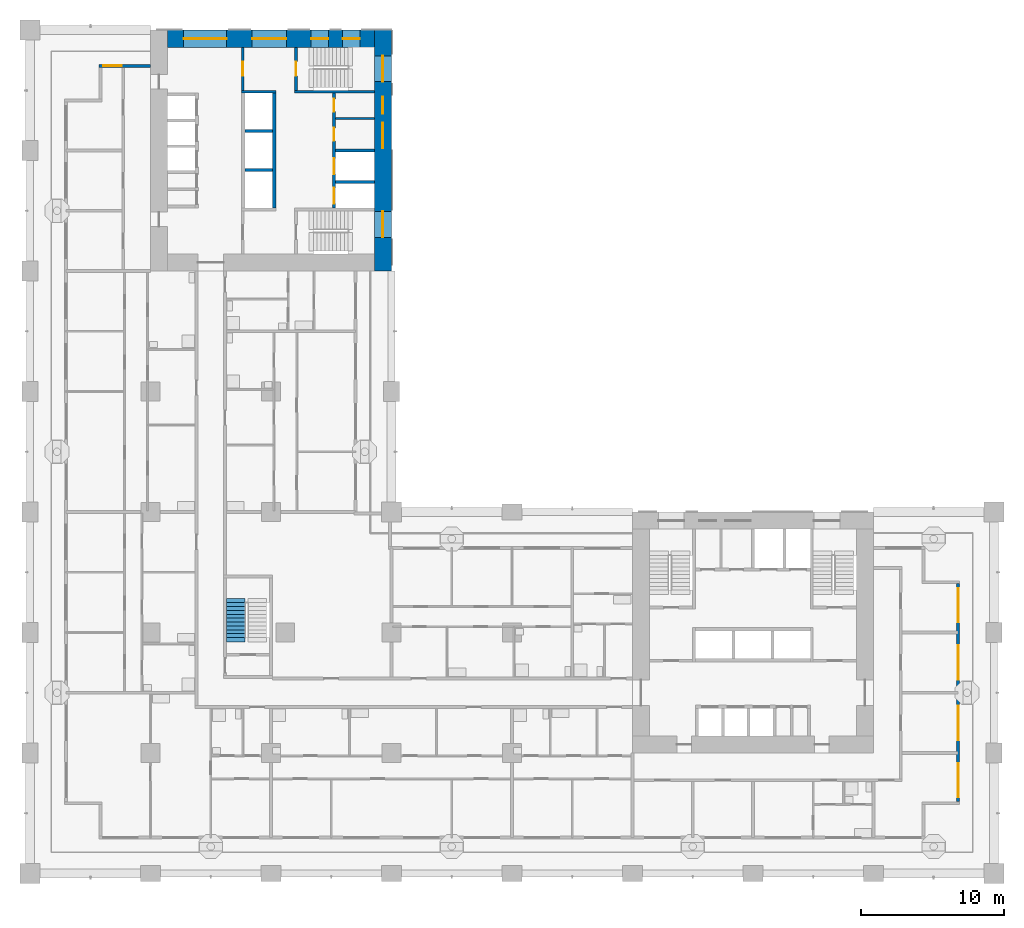
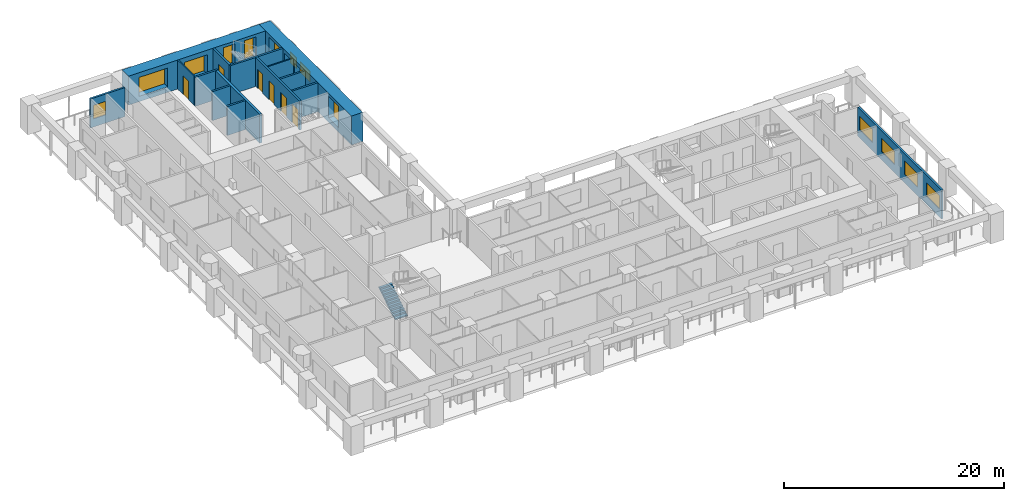
# One storey, part 9 of 20: 15 walls, 13 windows, 6 doors, 1 stair flight, 19 openings, 1 element without a shape of its own.
"""IFC4 building model written with IfcOpenShell, lengths in metres."""

from ifc_helpers import new_model, si_unit, direction, frame, frame_2d, origin, place, context, subcontext, project, spatial, polyline, rectangle, outline, extrude, material, layer, layer_set, type_object, element, fill, aggregate, save


model = new_model("IFC4")

# Units and contexts
model_context = context("Model", 3, precision=1e-05, world=origin(), true_north=direction((0.0, 1.0)))
body_context = subcontext(model_context, "Body", "Model", "MODEL_VIEW")
ifc_project = project(units=[si_unit("LENGTHUNIT", "METRE"), si_unit("AREAUNIT", "SQUARE_METRE"), si_unit("VOLUMEUNIT", "CUBIC_METRE"), si_unit("PLANEANGLEUNIT", "RADIAN"), si_unit("MASSUNIT", "GRAM", prefix="KILO")], contexts=[model_context])

# Site, building, storey
site_placement = place(None, origin())
site = spatial("IfcSite", under=ifc_project, at=site_placement, CompositionType="ELEMENT")
building_placement = place(site_placement, origin())
building = spatial("IfcBuilding", under=site, at=building_placement, Name="Vermilion Gate Residences", CompositionType="ELEMENT")
storey_placement = place(building_placement, frame((0.0, 0.0, 42.699951171875)))
storey = spatial("IfcBuildingStorey", under=building, at=storey_placement, Name="L09", CompositionType="ELEMENT", Elevation=42.699951171875)

# Wall
ifc_material_1 = material(Name="Masonry blockwork", Category="masonry")
ifc_layer_1 = layer(ifc_material_1, 0.14990234375)
ifc_layer_set_1 = layer_set([ifc_layer_1], Name="BLOCKWORK PARTITION 150 EI 120")
wall_type_1 = type_object("IfcWallType", Name="BLOCKWORK PARTITION 150 EI 120", PredefinedType="PARTITIONING", material=ifc_layer_set_1)
wall_1_placement = place(storey_placement, frame((21.300048828125, 52.637451171875, 0.0), z_axis=(0.0, 0.0, 1.0), x_axis=(1.0, 0.0, 0.0)))
element("IfcWall", 1, at=wall_1_placement, inside=storey, type_object=wall_type_1, Name="Core room partition B09-NR-P0", PredefinedType="PARTITIONING", context=body_context, shape_type="SweptSolid", body=[
    extrude(rectangle(XDim=2.699951171875, YDim=0.14990234375, at=frame_2d((1.35009765625, 0.0))), origin(), (0.0, 0.0, 1.0), 3.219970703125),
])

# Wall, opening, door
wall_2_placement = place(storey_placement, frame((14.824951171875, 57.60009765625, 0.0), z_axis=(0.0, 0.0, 1.0), x_axis=(0.0, -1.0, 0.0)))
wall_2 = element("IfcWall", 2, at=wall_2_placement, inside=storey, type_object=wall_type_1, Name="Core room partition B09-VW-S", PredefinedType="PARTITIONING", context=body_context, shape_type="SweptSolid", body=[
    extrude(rectangle(XDim=3.0, YDim=0.14990234375, at=frame_2d((1.5, 0.0))), origin(), (0.0, 0.0, 1.0), 3.219970703125),
])
opening_1_placement = place(wall_2_placement, frame((1.0, 0.0, 0.0)))
opening_1 = element("IfcOpeningElement", 3, at=opening_1_placement, cuts=wall_2, Name="Opening DK09113", PredefinedType="OPENING", context=body_context, shape_type="SweptSolid", body=[
    extrude(rectangle(XDim=1.0, YDim=2.10009765625, at=frame_2d((0.5, 1.050048828125))), frame((0.0, 0.0849609375, 0.0), z_axis=(0.0, -1.0, 0.0), x_axis=(1.0, 0.0, 0.0)), (0.0, 0.0, 1.0), 0.169921875),
])
ifc_material_2 = material(Name="Steel", Category="steel")
door_type_1 = type_object("IfcDoorType", Name="FIRE DOOR FD60 1000 X 2100", OperationType="SINGLE_SWING_LEFT", PredefinedType="DOOR", material=ifc_material_2)
door_1_placement = place(opening_1_placement, frame((1.0, 0.0, 0.0), z_axis=(0.0, 0.0, 1.0), x_axis=(-1.0, 0.0, 0.0)))
door_1 = element("IfcDoor", 4, at=door_1_placement, inside=storey, type_object=door_type_1, Name="Stair vestibule door B09", OperationType="SINGLE_SWING_RIGHT", OverallHeight=2.10009765625, OverallWidth=1.0, PredefinedType="DOOR", context=body_context, shape_type="SweptSolid", body=[
    extrude(rectangle(XDim=1.0, YDim=2.10009765625, at=frame_2d((0.5, 1.050048828125))), frame((0.0, 0.02490234375, 0.0), z_axis=(0.0, -1.0, 0.0), x_axis=(1.0, 0.0, 0.0)), (0.0, 0.0, 1.0), 0.050048828125),
])
fill(opening_1, door_1)

# Wall, opening, window
ifc_material_3 = material(Name="Insulated steel stud wall with terracotta rainscreen", Category="masonry")
ifc_layer_2 = layer(ifc_material_3, 0.199951171875)
ifc_layer_set_2 = layer_set([ifc_layer_2], Name="EXTERNAL WALL 200 TERRACOTTA RAINSCREEN")
wall_type_2 = type_object("IfcWallType", Name="EXTERNAL WALL 200 TERRACOTTA RAINSCREEN", PredefinedType="SOLIDWALL", material=ifc_layer_set_2)
wall_3_placement = place(storey_placement, frame((8.39990234375, 56.300048828125, 0.0), z_axis=(0.0, 0.0, 1.0), x_axis=(-1.0, 0.0, 0.0)))
wall_3 = element("IfcWall", 5, at=wall_3_placement, inside=storey, type_object=wall_type_2, Name="External wall", PredefinedType="SOLIDWALL", context=body_context, shape_type="SweptSolid", body=[
    extrude(rectangle(XDim=3.599853515625, YDim=0.199951171875, at=frame_2d((1.7998046875, 0.0))), origin(), (0.0, 0.0, 1.0), 3.219970703125),
])
opening_2_placement = place(wall_3_placement, frame((2.0, 0.0, 0.89990234375)))
opening_2 = element("IfcOpeningElement", 6, at=opening_2_placement, cuts=wall_3, Name="Opening WE09001", PredefinedType="OPENING", context=body_context, shape_type="SweptSolid", body=[
    extrude(rectangle(XDim=1.300048828125, YDim=1.5, at=frame_2d((0.64990234375, 0.75))), frame((0.0, 0.10986328125, 0.0), z_axis=(0.0, -1.0, 0.0), x_axis=(1.0, 0.0, 0.0)), (0.0, 0.0, 1.0), 0.219970703125),
])
ifc_material_4 = material(Name="Aluminium and clear glass", Category="aluminium")
window_type_1 = type_object("IfcWindowType", Name="WINDOW 1300 X 1500", PartitioningType="SINGLE_PANEL", PredefinedType="WINDOW", material=ifc_material_4)
window_1_placement = place(opening_2_placement, origin())
window_1 = element("IfcWindow", 7, at=window_1_placement, inside=storey, type_object=window_type_1, Name="Window", OverallHeight=1.5, OverallWidth=1.300048828125, PartitioningType="SINGLE_PANEL", PredefinedType="WINDOW", context=body_context, shape_type="SweptSolid", body=[
    extrude(rectangle(XDim=1.300048828125, YDim=1.5, at=frame_2d((0.64990234375, 0.75))), frame((0.0, 0.030029296875, 0.0), z_axis=(0.0, -1.0, 0.0), x_axis=(1.0, 0.0, 0.0)), (0.0, 0.0, 1.0), 0.06005859375),
])
fill(opening_2, window_1)

# Wall, openings, windows
wall_4_placement = place(storey_placement, frame((64.699951171875, 5.0, 0.0), z_axis=(0.0, 0.0, 1.0), x_axis=(0.0, 1.0, 0.0)))
wall_4 = element("IfcWall", 8, at=wall_4_placement, inside=storey, type_object=wall_type_2, Name="External wall", PredefinedType="SOLIDWALL", context=body_context, shape_type="SweptSolid", body=[
    extrude(rectangle(XDim=15.199951171875, YDim=0.199951171875, at=frame_2d((7.60009765625, 0.0))), origin(), (0.0, 0.0, 1.0), 3.219970703125),
])
opening_3_placement = place(wall_4_placement, frame((0.300048828125, 0.0, 0.89990234375)))
opening_3 = element("IfcOpeningElement", 9, at=opening_3_placement, cuts=wall_4, Name="Opening WE09028", PredefinedType="OPENING", context=body_context, shape_type="SweptSolid", body=[
    extrude(rectangle(XDim=2.39990234375, YDim=1.5, at=frame_2d((1.199951171875, 0.75))), frame((0.0, 0.10986328125, 0.0), z_axis=(0.0, -1.0, 0.0), x_axis=(1.0, 0.0, 0.0)), (0.0, 0.0, 1.0), 0.219970703125),
])
opening_4_placement = place(wall_4_placement, frame((4.300048828125, 0.0, 0.89990234375)))
opening_4 = element("IfcOpeningElement", 10, at=opening_4_placement, cuts=wall_4, Name="Opening WE09029", PredefinedType="OPENING", context=body_context, shape_type="SweptSolid", body=[
    extrude(rectangle(XDim=2.39990234375, YDim=1.5, at=frame_2d((1.199951171875, 0.75))), frame((0.0, 0.10986328125, 0.0), z_axis=(0.0, -1.0, 0.0), x_axis=(1.0, 0.0, 0.0)), (0.0, 0.0, 1.0), 0.219970703125),
])
opening_5_placement = place(wall_4_placement, frame((8.5, 0.0, 0.89990234375)))
opening_5 = element("IfcOpeningElement", 11, at=opening_5_placement, cuts=wall_4, Name="Opening WE09030", PredefinedType="OPENING", context=body_context, shape_type="SweptSolid", body=[
    extrude(rectangle(XDim=2.39990234375, YDim=1.5, at=frame_2d((1.199951171875, 0.75))), frame((0.0, 0.10986328125, 0.0), z_axis=(0.0, -1.0, 0.0), x_axis=(1.0, 0.0, 0.0)), (0.0, 0.0, 1.0), 0.219970703125),
])
opening_6_placement = place(wall_4_placement, frame((12.5, 0.0, 0.89990234375)))
opening_6 = element("IfcOpeningElement", 12, at=opening_6_placement, cuts=wall_4, Name="Opening WE09031", PredefinedType="OPENING", context=body_context, shape_type="SweptSolid", body=[
    extrude(rectangle(XDim=2.39990234375, YDim=1.5, at=frame_2d((1.199951171875, 0.75))), frame((0.0, 0.10986328125, 0.0), z_axis=(0.0, -1.0, 0.0), x_axis=(1.0, 0.0, 0.0)), (0.0, 0.0, 1.0), 0.219970703125),
])
ifc_material_5 = material(Name="Aluminium and clear glass", Category="aluminium")
window_type_2 = type_object("IfcWindowType", Name="WINDOW 2400 X 1500", PartitioningType="SINGLE_PANEL", PredefinedType="WINDOW", material=ifc_material_5)
window_2_placement = place(opening_3_placement, origin())
window_2 = element("IfcWindow", 13, at=window_2_placement, inside=storey, type_object=window_type_2, Name="Window", OverallHeight=1.5, OverallWidth=2.39990234375, PartitioningType="SINGLE_PANEL", PredefinedType="WINDOW", context=body_context, shape_type="SweptSolid", body=[
    extrude(rectangle(XDim=2.39990234375, YDim=1.5, at=frame_2d((1.199951171875, 0.75))), frame((0.0, 0.030029296875, 0.0), z_axis=(0.0, -1.0, 0.0), x_axis=(1.0, 0.0, 0.0)), (0.0, 0.0, 1.0), 0.06005859375),
])
fill(opening_3, window_2)
window_3_placement = place(opening_4_placement, origin())
window_3 = element("IfcWindow", 14, at=window_3_placement, inside=storey, type_object=window_type_2, Name="Window", OverallHeight=1.5, OverallWidth=2.39990234375, PartitioningType="SINGLE_PANEL", PredefinedType="WINDOW", context=body_context, shape_type="SweptSolid", body=[
    extrude(rectangle(XDim=2.39990234375, YDim=1.5, at=frame_2d((1.199951171875, 0.75))), frame((0.0, 0.030029296875, 0.0), z_axis=(0.0, -1.0, 0.0), x_axis=(1.0, 0.0, 0.0)), (0.0, 0.0, 1.0), 0.06005859375),
])
fill(opening_4, window_3)
window_4_placement = place(opening_5_placement, origin())
window_4 = element("IfcWindow", 15, at=window_4_placement, inside=storey, type_object=window_type_2, Name="Window", OverallHeight=1.5, OverallWidth=2.39990234375, PartitioningType="SINGLE_PANEL", PredefinedType="WINDOW", context=body_context, shape_type="SweptSolid", body=[
    extrude(rectangle(XDim=2.39990234375, YDim=1.5, at=frame_2d((1.199951171875, 0.75))), frame((0.0, 0.030029296875, 0.0), z_axis=(0.0, -1.0, 0.0), x_axis=(1.0, 0.0, 0.0)), (0.0, 0.0, 1.0), 0.06005859375),
])
fill(opening_5, window_4)
window_5_placement = place(opening_6_placement, origin())
window_5 = element("IfcWindow", 16, at=window_5_placement, inside=storey, type_object=window_type_2, Name="Window", OverallHeight=1.5, OverallWidth=2.39990234375, PartitioningType="SINGLE_PANEL", PredefinedType="WINDOW", context=body_context, shape_type="SweptSolid", body=[
    extrude(rectangle(XDim=2.39990234375, YDim=1.5, at=frame_2d((1.199951171875, 0.75))), frame((0.0, 0.030029296875, 0.0), z_axis=(0.0, -1.0, 0.0), x_axis=(1.0, 0.0, 0.0)), (0.0, 0.0, 1.0), 0.06005859375),
])
fill(opening_6, window_5)

# Walls
ifc_material_6 = material(Name="Concrete C60", Category="concrete")
ifc_layer_3 = layer(ifc_material_6, 0.199951171875)
ifc_layer_set_3 = layer_set([ifc_layer_3], Name="RC CORE INTERNAL WALL 200 C60")
wall_type_3 = type_object("IfcWallType", Name="RC CORE INTERNAL WALL 200 C60", PredefinedType="SHEAR", material=ifc_layer_set_3)
for number, where, z_axis, x_axis, name in (
    (17, (15.0, 51.7666015625, 0.0), (0.0, 0.0, 1.0), (1.0, 0.0, 0.0), "Core internal wall B09-HR-D1"),
    (18, (15.0, 49.033447265625, 0.0), (0.0, 0.0, 1.0), (1.0, 0.0, 0.0), "Core internal wall B09-HR-D2"),
):
    element("IfcWall", number, at=place(storey_placement, frame(where, z_axis=z_axis, x_axis=x_axis)), inside=storey, type_object=wall_type_3, Name=name, PredefinedType="SHEAR", context=body_context, shape_type="SweptSolid", body=[
        extrude(rectangle(XDim=1.89990234375, YDim=0.199951171875, at=frame_2d((0.949951171875, 0.0))), origin(), (0.0, 0.0, 1.0), 3.219970703125),
    ])
for number, where, z_axis, x_axis, name in (
    (19, (21.300048828125, 50.39990234375, 0.0), (0.0, 0.0, 1.0), (1.0, 0.0, 0.0), "Core internal wall B09-FF-D0"),
    (20, (21.300048828125, 48.199951171875, 0.0), (0.0, 0.0, 1.0), (1.0, 0.0, 0.0), "Core internal wall B09-FF-D1"),
):
    element("IfcWall", number, at=place(storey_placement, frame(where, z_axis=z_axis, x_axis=x_axis)), inside=storey, type_object=wall_type_3, Name=name, PredefinedType="SHEAR", context=body_context, shape_type="SweptSolid", body=[
        extrude(rectangle(XDim=2.699951171875, YDim=0.199951171875, at=frame_2d((1.35009765625, 0.0))), origin(), (0.0, 0.0, 1.0), 3.219970703125),
    ])

# Wall, openings, doors
wall_5_placement = place(storey_placement, frame((21.199951171875, 54.39990234375, 0.0), z_axis=(0.0, 0.0, 1.0), x_axis=(0.0, -1.0, 0.0)))
wall_5 = element("IfcWall", 21, at=wall_5_placement, inside=storey, type_object=wall_type_3, Name="Core internal wall B09-FF-F", PredefinedType="SHEAR", context=body_context, shape_type="SweptSolid", body=[
    extrude(rectangle(XDim=8.0, YDim=0.199951171875, at=frame_2d((4.0, 0.0))), origin(), (0.0, 0.0, 1.0), 3.219970703125),
])
opening_7_placement = place(wall_5_placement, frame((0.393798828125, 0.0, 0.0)))
opening_7 = element("IfcOpeningElement", 22, at=opening_7_placement, cuts=wall_5, Name="Opening DK09109", PredefinedType="OPENING", context=body_context, shape_type="SweptSolid", body=[
    extrude(rectangle(XDim=0.89990234375, YDim=2.10009765625, at=frame_2d((0.449951171875, 1.050048828125))), frame((0.0, 0.10986328125, 0.0), z_axis=(0.0, -1.0, 0.0), x_axis=(1.0, 0.0, 0.0)), (0.0, 0.0, 1.0), 0.219970703125),
])
opening_8_placement = place(wall_5_placement, frame((2.418701171875, 0.0, 0.0)))
opening_8 = element("IfcOpeningElement", 23, at=opening_8_placement, cuts=wall_5, Name="Opening DK09110", PredefinedType="OPENING", context=body_context, shape_type="SweptSolid", body=[
    extrude(rectangle(XDim=0.89990234375, YDim=2.10009765625, at=frame_2d((0.449951171875, 1.050048828125))), frame((0.0, 0.10986328125, 0.0), z_axis=(0.0, -1.0, 0.0), x_axis=(1.0, 0.0, 0.0)), (0.0, 0.0, 1.0), 0.219970703125),
])
opening_9_placement = place(wall_5_placement, frame((4.550048828125, 0.0, 0.0)))
opening_9 = element("IfcOpeningElement", 24, at=opening_9_placement, cuts=wall_5, Name="Opening LD", PredefinedType="OPENING", context=body_context, shape_type="SweptSolid", body=[
    extrude(rectangle(XDim=1.10009765625, YDim=2.10009765625, at=frame_2d((0.550048828125, 1.050048828125))), frame((0.0, 0.10986328125, 0.0), z_axis=(0.0, -1.0, 0.0), x_axis=(1.0, 0.0, 0.0)), (0.0, 0.0, 1.0), 0.219970703125),
])
opening_10_placement = place(wall_5_placement, frame((6.60009765625, 0.0, 0.0)))
opening_10 = element("IfcOpeningElement", 25, at=opening_10_placement, cuts=wall_5, Name="Opening LD", PredefinedType="OPENING", context=body_context, shape_type="SweptSolid", body=[
    extrude(rectangle(XDim=1.10009765625, YDim=2.10009765625, at=frame_2d((0.550048828125, 1.050048828125))), frame((0.0, 0.10986328125, 0.0), z_axis=(0.0, -1.0, 0.0), x_axis=(1.0, 0.0, 0.0)), (0.0, 0.0, 1.0), 0.219970703125),
])
ifc_material_7 = material(Name="Stainless steel", Category="steel")
door_type_2 = type_object("IfcDoorType", Name="LIFT LANDING DOOR E60 1100 X 2100", OperationType="DOUBLE_DOOR_SLIDING", PredefinedType="DOOR", material=ifc_material_7)
door_2_placement = place(opening_9_placement, origin())
door_2 = element("IfcDoor", 26, at=door_2_placement, inside=storey, type_object=door_type_2, Name="Lift landing door LFB1", OperationType="DOUBLE_DOOR_SLIDING", OverallHeight=2.10009765625, OverallWidth=1.10009765625, PredefinedType="DOOR", context=body_context, shape_type="SweptSolid", body=[
    extrude(rectangle(XDim=1.10009765625, YDim=2.10009765625, at=frame_2d((0.550048828125, 1.050048828125))), frame((0.0, 0.02490234375, 0.0), z_axis=(0.0, -1.0, 0.0), x_axis=(1.0, 0.0, 0.0)), (0.0, 0.0, 1.0), 0.050048828125),
])
fill(opening_9, door_2)
door_3_placement = place(opening_10_placement, origin())
door_3 = element("IfcDoor", 27, at=door_3_placement, inside=storey, type_object=door_type_2, Name="Lift landing door LCB1", OperationType="DOUBLE_DOOR_SLIDING", OverallHeight=2.10009765625, OverallWidth=1.10009765625, PredefinedType="DOOR", context=body_context, shape_type="SweptSolid", body=[
    extrude(rectangle(XDim=1.10009765625, YDim=2.10009765625, at=frame_2d((0.550048828125, 1.050048828125))), frame((0.0, 0.02490234375, 0.0), z_axis=(0.0, -1.0, 0.0), x_axis=(1.0, 0.0, 0.0)), (0.0, 0.0, 1.0), 0.050048828125),
])
fill(opening_10, door_3)
ifc_material_8 = material(Name="Steel", Category="steel")
door_type_3 = type_object("IfcDoorType", Name="SERVICE ROOM DOOR FD60 900 X 2100", OperationType="SINGLE_SWING_LEFT", PredefinedType="DOOR", material=ifc_material_8)
door_4_placement = place(opening_7_placement, origin())
door_4 = element("IfcDoor", 28, at=door_4_placement, inside=storey, type_object=door_type_3, Name="Communications riser B09", OperationType="SINGLE_SWING_RIGHT", OverallHeight=2.10009765625, OverallWidth=0.89990234375, PredefinedType="DOOR", context=body_context, shape_type="SweptSolid", body=[
    extrude(rectangle(XDim=0.89990234375, YDim=2.10009765625, at=frame_2d((0.449951171875, 1.050048828125))), frame((0.0, 0.02490234375, 0.0), z_axis=(0.0, -1.0, 0.0), x_axis=(1.0, 0.0, 0.0)), (0.0, 0.0, 1.0), 0.050048828125),
])
fill(opening_7, door_4)
door_5_placement = place(opening_8_placement, origin())
door_5 = element("IfcDoor", 29, at=door_5_placement, inside=storey, type_object=door_type_3, Name="Refuse room B09", OperationType="SINGLE_SWING_RIGHT", OverallHeight=2.10009765625, OverallWidth=0.89990234375, PredefinedType="DOOR", context=body_context, shape_type="SweptSolid", body=[
    extrude(rectangle(XDim=0.89990234375, YDim=2.10009765625, at=frame_2d((0.449951171875, 1.050048828125))), frame((0.0, 0.02490234375, 0.0), z_axis=(0.0, -1.0, 0.0), x_axis=(1.0, 0.0, 0.0)), (0.0, 0.0, 1.0), 0.050048828125),
])
fill(opening_8, door_5)

# Walls
wall_6_placement = place(storey_placement, frame((14.75, 54.5, 0.0), z_axis=(0.0, 0.0, 1.0), x_axis=(1.0, 0.0, 0.0)))
element("IfcWall", 30, at=wall_6_placement, inside=storey, type_object=wall_type_3, Name="Core internal wall B09-WDIV1", PredefinedType="SHEAR", context=body_context, shape_type="SweptSolid", body=[
    extrude(rectangle(XDim=2.39990234375, YDim=0.199951171875, at=frame_2d((1.199951171875, 0.0))), origin(), (0.0, 0.0, 1.0), 3.219970703125),
])
wall_7_placement = place(storey_placement, frame((18.449951171875, 54.5, 0.0), z_axis=(0.0, 0.0, 1.0), x_axis=(1.0, 0.0, 0.0)))
element("IfcWall", 31, at=wall_7_placement, inside=storey, type_object=wall_type_3, Name="Core internal wall B09-WDIV2", PredefinedType="SHEAR", context=body_context, shape_type="SweptSolid", body=[
    extrude(rectangle(XDim=5.550048828125, YDim=0.199951171875, at=frame_2d((2.77490234375, 0.0))), origin(), (0.0, 0.0, 1.0), 3.219970703125),
])

# Wall, opening, door
wall_8_placement = place(storey_placement, frame((18.550048828125, 57.60009765625, 0.0), z_axis=(0.0, 0.0, 1.0), x_axis=(0.0, -1.0, 0.0)))
wall_8 = element("IfcWall", 32, at=wall_8_placement, inside=storey, type_object=wall_type_3, Name="Core internal wall B09-STW-S", PredefinedType="SHEAR", context=body_context, shape_type="SweptSolid", body=[
    extrude(rectangle(XDim=3.0, YDim=0.199951171875, at=frame_2d((1.5, 0.0))), origin(), (0.0, 0.0, 1.0), 3.219970703125),
])
opening_11_placement = place(wall_8_placement, frame((1.0, 0.0, 0.0)))
opening_11 = element("IfcOpeningElement", 33, at=opening_11_placement, cuts=wall_8, Name="Opening DK09114", PredefinedType="OPENING", context=body_context, shape_type="SweptSolid", body=[
    extrude(rectangle(XDim=1.0, YDim=2.10009765625, at=frame_2d((0.5, 1.050048828125))), frame((0.0, 0.10986328125, 0.0), z_axis=(0.0, -1.0, 0.0), x_axis=(1.0, 0.0, 0.0)), (0.0, 0.0, 1.0), 0.219970703125),
])
door_6_placement = place(opening_11_placement, origin())
door_6 = element("IfcDoor", 34, at=door_6_placement, inside=storey, type_object=door_type_1, Name="Stair door B09", OperationType="SINGLE_SWING_LEFT", OverallHeight=2.10009765625, OverallWidth=1.0, PredefinedType="DOOR", context=body_context, shape_type="SweptSolid", body=[
    extrude(rectangle(XDim=1.0, YDim=2.10009765625, at=frame_2d((0.5, 1.050048828125))), frame((0.0, 0.02490234375, 0.0), z_axis=(0.0, -1.0, 0.0), x_axis=(1.0, 0.0, 0.0)), (0.0, 0.0, 1.0), 0.050048828125),
])
fill(opening_11, door_6)

# Wall, openings, windows
ifc_material_9 = material(Name="Concrete C80 red-oxide pigmented", Category="concrete")
ifc_layer_4 = layer(ifc_material_9, 1.199951171875)
ifc_layer_set_4 = layer_set([ifc_layer_4], Name="RC CORE WALL 1200 C80 RED OXIDE")
wall_type_4 = type_object("IfcWallType", Name="RC CORE WALL 1200 C80 RED OXIDE", PredefinedType="SHEAR", material=ifc_layer_set_4)
wall_9_placement = place(storey_placement, frame((24.60009765625, 58.800048828125, 0.0), z_axis=(0.0, 0.0, 1.0), x_axis=(0.0, -1.0, 0.0)))
wall_9 = element("IfcWall", 35, at=wall_9_placement, inside=storey, type_object=wall_type_4, Name="Core wall B09-OUT-B1", PredefinedType="SHEAR", context=body_context, shape_type="SweptSolid", body=[
    extrude(rectangle(XDim=16.800048828125, YDim=1.199951171875, at=frame_2d((8.39990234375, 0.0))), origin(), (0.0, 0.0, 1.0), 3.219970703125),
])
opening_12_placement = place(wall_9_placement, frame((1.800048828125, 0.0, 0.5)))
opening_12 = element("IfcOpeningElement", 36, at=opening_12_placement, cuts=wall_9, Name="Opening WKB0901", PredefinedType="OPENING", context=body_context, shape_type="SweptSolid", body=[
    extrude(rectangle(XDim=1.800048828125, YDim=2.39990234375, at=frame_2d((0.89990234375, 1.199951171875))), frame((0.0, 0.60986328125, 0.0), z_axis=(0.0, -1.0, 0.0), x_axis=(1.0, 0.0, 0.0)), (0.0, 0.0, 1.0), 1.219970703125),
])
opening_13_placement = place(wall_9_placement, frame((4.643798828125, 0.0, 1.60009765625)))
opening_13 = element("IfcOpeningElement", 37, at=opening_13_placement, cuts=wall_9, Name="Opening WKB0902", PredefinedType="OPENING", context=body_context, shape_type="SweptSolid", body=[
    extrude(rectangle(XDim=1.199951171875, YDim=1.199951171875, at=frame_2d((0.60009765625, 0.60009765625))), frame((0.0, 0.60986328125, 0.0), z_axis=(0.0, -1.0, 0.0), x_axis=(1.0, 0.0, 0.0)), (0.0, 0.0, 1.0), 1.219970703125),
])
opening_14_placement = place(wall_9_placement, frame((6.449951171875, 0.0, 1.60009765625)))
opening_14 = element("IfcOpeningElement", 38, at=opening_14_placement, cuts=wall_9, Name="Opening WKB0903", PredefinedType="OPENING", context=body_context, shape_type="SweptSolid", body=[
    extrude(rectangle(XDim=1.800048828125, YDim=1.199951171875, at=frame_2d((0.89990234375, 0.60009765625))), frame((0.0, 0.60986328125, 0.0), z_axis=(0.0, -1.0, 0.0), x_axis=(1.0, 0.0, 0.0)), (0.0, 0.0, 1.0), 1.219970703125),
])
opening_15_placement = place(wall_9_placement, frame((12.64990234375, 0.0, 0.5)))
opening_15 = element("IfcOpeningElement", 39, at=opening_15_placement, cuts=wall_9, Name="Opening WKB0904", PredefinedType="OPENING", context=body_context, shape_type="SweptSolid", body=[
    extrude(rectangle(XDim=1.800048828125, YDim=2.39990234375, at=frame_2d((0.89990234375, 1.199951171875))), frame((0.0, 0.60986328125, 0.0), z_axis=(0.0, -1.0, 0.0), x_axis=(1.0, 0.0, 0.0)), (0.0, 0.0, 1.0), 1.219970703125),
])
ifc_material_10 = material(Name="Aluminium frame with louvre blades", Category="aluminium")
window_type_3 = type_object("IfcWindowType", Name="CORE LOUVRE 1200 X 1200", PartitioningType="SINGLE_PANEL", PredefinedType="WINDOW", material=ifc_material_10)
window_6_placement = place(opening_13_placement, origin())
window_6 = element("IfcWindow", 40, at=window_6_placement, inside=storey, type_object=window_type_3, Name="Core louvre", OverallHeight=1.199951171875, OverallWidth=1.199951171875, PartitioningType="SINGLE_PANEL", PredefinedType="WINDOW", context=body_context, shape_type="SweptSolid", body=[
    extrude(rectangle(XDim=1.199951171875, YDim=1.199951171875, at=frame_2d((0.60009765625, 0.60009765625))), frame((0.0, 0.030029296875, 0.0), z_axis=(0.0, -1.0, 0.0), x_axis=(1.0, 0.0, 0.0)), (0.0, 0.0, 1.0), 0.06005859375),
])
fill(opening_13, window_6)
ifc_material_11 = material(Name="Aluminium frame with louvre blades", Category="aluminium")
window_type_4 = type_object("IfcWindowType", Name="CORE LOUVRE 1800 X 1200", PartitioningType="SINGLE_PANEL", PredefinedType="WINDOW", material=ifc_material_11)
window_7_placement = place(opening_14_placement, origin())
window_7 = element("IfcWindow", 41, at=window_7_placement, inside=storey, type_object=window_type_4, Name="Core louvre", OverallHeight=1.199951171875, OverallWidth=1.800048828125, PartitioningType="SINGLE_PANEL", PredefinedType="WINDOW", context=body_context, shape_type="SweptSolid", body=[
    extrude(rectangle(XDim=1.800048828125, YDim=1.199951171875, at=frame_2d((0.89990234375, 0.60009765625))), frame((0.0, 0.030029296875, 0.0), z_axis=(0.0, -1.0, 0.0), x_axis=(1.0, 0.0, 0.0)), (0.0, 0.0, 1.0), 0.06005859375),
])
fill(opening_14, window_7)
ifc_material_12 = material(Name="Aluminium and clear glass", Category="aluminium")
window_type_5 = type_object("IfcWindowType", Name="CORE STAIR WINDOW 1800 X 2400", PartitioningType="SINGLE_PANEL", PredefinedType="WINDOW", material=ifc_material_12)
window_8_placement = place(opening_12_placement, origin())
window_8 = element("IfcWindow", 42, at=window_8_placement, inside=storey, type_object=window_type_5, Name="Core stair window", OverallHeight=2.39990234375, OverallWidth=1.800048828125, PartitioningType="SINGLE_PANEL", PredefinedType="WINDOW", context=body_context, shape_type="SweptSolid", body=[
    extrude(rectangle(XDim=1.800048828125, YDim=2.39990234375, at=frame_2d((0.89990234375, 1.199951171875))), frame((0.0, 0.030029296875, 0.0), z_axis=(0.0, -1.0, 0.0), x_axis=(1.0, 0.0, 0.0)), (0.0, 0.0, 1.0), 0.06005859375),
])
fill(opening_12, window_8)
window_9_placement = place(opening_15_placement, origin())
window_9 = element("IfcWindow", 43, at=window_9_placement, inside=storey, type_object=window_type_5, Name="Core stair window", OverallHeight=2.39990234375, OverallWidth=1.800048828125, PartitioningType="SINGLE_PANEL", PredefinedType="WINDOW", context=body_context, shape_type="SweptSolid", body=[
    extrude(rectangle(XDim=1.800048828125, YDim=2.39990234375, at=frame_2d((0.89990234375, 1.199951171875))), frame((0.0, 0.030029296875, 0.0), z_axis=(0.0, -1.0, 0.0), x_axis=(1.0, 0.0, 0.0)), (0.0, 0.0, 1.0), 0.06005859375),
])
fill(opening_15, window_9)

wall_10_placement = place(storey_placement, frame((9.60009765625, 58.199951171875, 0.0), z_axis=(0.0, 0.0, 1.0), x_axis=(1.0, 0.0, 0.0)))
wall_10 = element("IfcWall", 44, at=wall_10_placement, inside=storey, type_object=wall_type_4, Name="Core wall B09-OUT-FR", PredefinedType="SHEAR", context=body_context, shape_type="SweptSolid", body=[
    extrude(rectangle(XDim=14.39990234375, YDim=1.199951171875, at=frame_2d((7.199951171875, 0.0))), origin(), (0.0, 0.0, 1.0), 3.219970703125),
])
opening_16_placement = place(wall_10_placement, frame((1.10498046875, 0.0, 0.60009765625)))
opening_16 = element("IfcOpeningElement", 45, at=opening_16_placement, cuts=wall_10, Name="Opening WKB0905", PredefinedType="OPENING", context=body_context, shape_type="SweptSolid", body=[
    extrude(rectangle(XDim=3.0, YDim=2.10009765625, at=frame_2d((1.5, 1.050048828125))), frame((0.0, 0.60986328125, 0.0), z_axis=(0.0, -1.0, 0.0), x_axis=(1.0, 0.0, 0.0)), (0.0, 0.0, 1.0), 1.219970703125),
])
opening_17_placement = place(wall_10_placement, frame((5.875, 0.0, 0.60009765625)))
opening_17 = element("IfcOpeningElement", 46, at=opening_17_placement, cuts=wall_10, Name="Opening WKB0906", PredefinedType="OPENING", context=body_context, shape_type="SweptSolid", body=[
    extrude(rectangle(XDim=2.39990234375, YDim=2.10009765625, at=frame_2d((1.199951171875, 1.050048828125))), frame((0.0, 0.60986328125, 0.0), z_axis=(0.0, -1.0, 0.0), x_axis=(1.0, 0.0, 0.0)), (0.0, 0.0, 1.0), 1.219970703125),
])
opening_18_placement = place(wall_10_placement, frame((9.993408203125, 0.0, 0.5)))
opening_18 = element("IfcOpeningElement", 47, at=opening_18_placement, cuts=wall_10, Name="Opening WKB0907", PredefinedType="OPENING", context=body_context, shape_type="SweptSolid", body=[
    extrude(rectangle(XDim=1.199951171875, YDim=2.39990234375, at=frame_2d((0.60009765625, 1.199951171875))), frame((0.0, 0.60986328125, 0.0), z_axis=(0.0, -1.0, 0.0), x_axis=(1.0, 0.0, 0.0)), (0.0, 0.0, 1.0), 1.219970703125),
])
opening_19_placement = place(wall_10_placement, frame((12.19677734375, 0.0, 0.5)))
opening_19 = element("IfcOpeningElement", 48, at=opening_19_placement, cuts=wall_10, Name="Opening WKB0908", PredefinedType="OPENING", context=body_context, shape_type="SweptSolid", body=[
    extrude(rectangle(XDim=1.199951171875, YDim=2.39990234375, at=frame_2d((0.60009765625, 1.199951171875))), frame((0.0, 0.60986328125, 0.0), z_axis=(0.0, -1.0, 0.0), x_axis=(1.0, 0.0, 0.0)), (0.0, 0.0, 1.0), 1.219970703125),
])
ifc_material_13 = material(Name="Aluminium and clear glass", Category="aluminium")
window_type_6 = type_object("IfcWindowType", Name="CORE LOBBY WINDOW 2400 X 2100", PartitioningType="SINGLE_PANEL", PredefinedType="WINDOW", material=ifc_material_13)
window_10_placement = place(opening_17_placement, origin())
window_10 = element("IfcWindow", 49, at=window_10_placement, inside=storey, type_object=window_type_6, Name="Core lobby window", OverallHeight=2.10009765625, OverallWidth=2.39990234375, PartitioningType="SINGLE_PANEL", PredefinedType="WINDOW", context=body_context, shape_type="SweptSolid", body=[
    extrude(rectangle(XDim=2.39990234375, YDim=2.10009765625, at=frame_2d((1.199951171875, 1.050048828125))), frame((0.0, 0.030029296875, 0.0), z_axis=(0.0, -1.0, 0.0), x_axis=(1.0, 0.0, 0.0)), (0.0, 0.0, 1.0), 0.06005859375),
])
fill(opening_17, window_10)
ifc_material_14 = material(Name="Aluminium and clear glass", Category="aluminium")
window_type_7 = type_object("IfcWindowType", Name="CORE LOBBY WINDOW 3000 X 2100", PartitioningType="SINGLE_PANEL", PredefinedType="WINDOW", material=ifc_material_14)
window_11_placement = place(opening_16_placement, origin())
window_11 = element("IfcWindow", 50, at=window_11_placement, inside=storey, type_object=window_type_7, Name="Core lobby window", OverallHeight=2.10009765625, OverallWidth=3.0, PartitioningType="SINGLE_PANEL", PredefinedType="WINDOW", context=body_context, shape_type="SweptSolid", body=[
    extrude(rectangle(XDim=3.0, YDim=2.10009765625, at=frame_2d((1.5, 1.050048828125))), frame((0.0, 0.030029296875, 0.0), z_axis=(0.0, -1.0, 0.0), x_axis=(1.0, 0.0, 0.0)), (0.0, 0.0, 1.0), 0.06005859375),
])
fill(opening_16, window_11)
ifc_material_15 = material(Name="Aluminium and clear glass", Category="aluminium")
window_type_8 = type_object("IfcWindowType", Name="CORE STAIR WINDOW 1200 X 2400", PartitioningType="SINGLE_PANEL", PredefinedType="WINDOW", material=ifc_material_15)
window_12_placement = place(opening_18_placement, origin())
window_12 = element("IfcWindow", 51, at=window_12_placement, inside=storey, type_object=window_type_8, Name="Core stair window", OverallHeight=2.39990234375, OverallWidth=1.199951171875, PartitioningType="SINGLE_PANEL", PredefinedType="WINDOW", context=body_context, shape_type="SweptSolid", body=[
    extrude(rectangle(XDim=1.199951171875, YDim=2.39990234375, at=frame_2d((0.60009765625, 1.199951171875))), frame((0.0, 0.030029296875, 0.0), z_axis=(0.0, -1.0, 0.0), x_axis=(1.0, 0.0, 0.0)), (0.0, 0.0, 1.0), 0.06005859375),
])
fill(opening_18, window_12)
window_13_placement = place(opening_19_placement, origin())
window_13 = element("IfcWindow", 52, at=window_13_placement, inside=storey, type_object=window_type_8, Name="Core stair window", OverallHeight=2.39990234375, OverallWidth=1.199951171875, PartitioningType="SINGLE_PANEL", PredefinedType="WINDOW", context=body_context, shape_type="SweptSolid", body=[
    extrude(rectangle(XDim=1.199951171875, YDim=2.39990234375, at=frame_2d((0.60009765625, 1.199951171875))), frame((0.0, 0.030029296875, 0.0), z_axis=(0.0, -1.0, 0.0), x_axis=(1.0, 0.0, 0.0)), (0.0, 0.0, 1.0), 0.06005859375),
])
fill(opening_19, window_13)

# Wall
ifc_material_16 = material(Name="Concrete C60", Category="concrete")
ifc_layer_5 = layer(ifc_material_16, 0.25)
ifc_layer_set_5 = layer_set([ifc_layer_5], Name="RC LIFT SHAFT WALL 250 C60")
wall_type_5 = type_object("IfcWallType", Name="RC LIFT SHAFT WALL 250 C60", PredefinedType="SHEAR", material=ifc_layer_set_5)
wall_11_placement = place(storey_placement, frame((17.02490234375, 54.39990234375, 0.0), z_axis=(0.0, 0.0, 1.0), x_axis=(0.0, -1.0, 0.0)))
element("IfcWall", 53, at=wall_11_placement, inside=storey, type_object=wall_type_5, Name="Lift shaft wall B09-HR-B", PredefinedType="SHEAR", context=body_context, shape_type="SweptSolid", body=[
    extrude(rectangle(XDim=8.0, YDim=0.25, at=frame_2d((4.0, 0.0))), origin(), (0.0, 0.0, 1.0), 3.219970703125),
])

# Stair, stair flight
ifc_material_17 = material(Name="Concrete C50", Category="concrete")
stair_type = type_object("IfcStairType", Name="SPECIAL ESCAPE STAIR 1300", PredefinedType="HALF_TURN_STAIR", material=ifc_material_17)
stair_placement = place(storey_placement, origin())
stair = element("IfcStair", 54, at=stair_placement, inside=storey, type_object=stair_type, Name="Special escape stair STC1-09", PredefinedType="HALF_TURN_STAIR")
ifc_material_18 = material(Name="Concrete C50", Category="concrete")
stair_flight_type = type_object("IfcStairFlightType", Name="STAIR FLIGHT 1300 RC C50", PredefinedType="STRAIGHT", material=ifc_material_18)
stair_flight_placement = place(storey_placement, frame((14.35009765625, 16.449951171875, 0.0), z_axis=(0.0, 0.0, 1.0), x_axis=(0.0, 1.0, 0.0)))
stair_flight = element("IfcStairFlight", 55, at=stair_flight_placement, type_object=stair_flight_type, Name="STC1-09 flight 1", NumberOfRisers=10, NumberOfTreads=9, PredefinedType="STRAIGHT", RiserHeight=0.175, TreadLength=0.27, context=body_context, shape_type="SweptSolid", body=[
    extrude(outline(polyline([(-0.300048828125, -0.14990234375), (-0.300048828125, -0.030029296875), (0.0, 0.0), (0.0, 0.175048828125), (0.27001953125, 0.175048828125), (0.27001953125, 0.35009765625), (0.5400390625, 0.35009765625), (0.5400390625, 0.52490234375), (0.81005859375, 0.52490234375), (0.81005859375, 0.699951171875), (1.080078125, 0.699951171875), (1.080078125, 0.875), (1.35009765625, 0.875), (1.35009765625, 1.050048828125), (1.6201171875, 1.050048828125), (1.6201171875, 1.22509765625), (1.889892578125, 1.22509765625), (1.889892578125, 1.39990234375), (2.159912109375, 1.39990234375), (2.159912109375, 1.574951171875), (2.429931640625, 1.574951171875), (2.429931640625, 1.75), (2.72998046875, 1.719970703125), (2.72998046875, 1.60009765625), (2.429931640625, 1.396484375), (0.275634765625, 0.0), (-0.300048828125, -0.14990234375)])), frame((0.0, 0.64990234375, 0.0), z_axis=(0.0, -1.0, 0.0), x_axis=(1.0, 0.0, 0.0)), (0.0, 0.0, 1.0), 1.300048828125),
])
aggregate(stair, [stair_flight])

save(model, "model.ifc")
